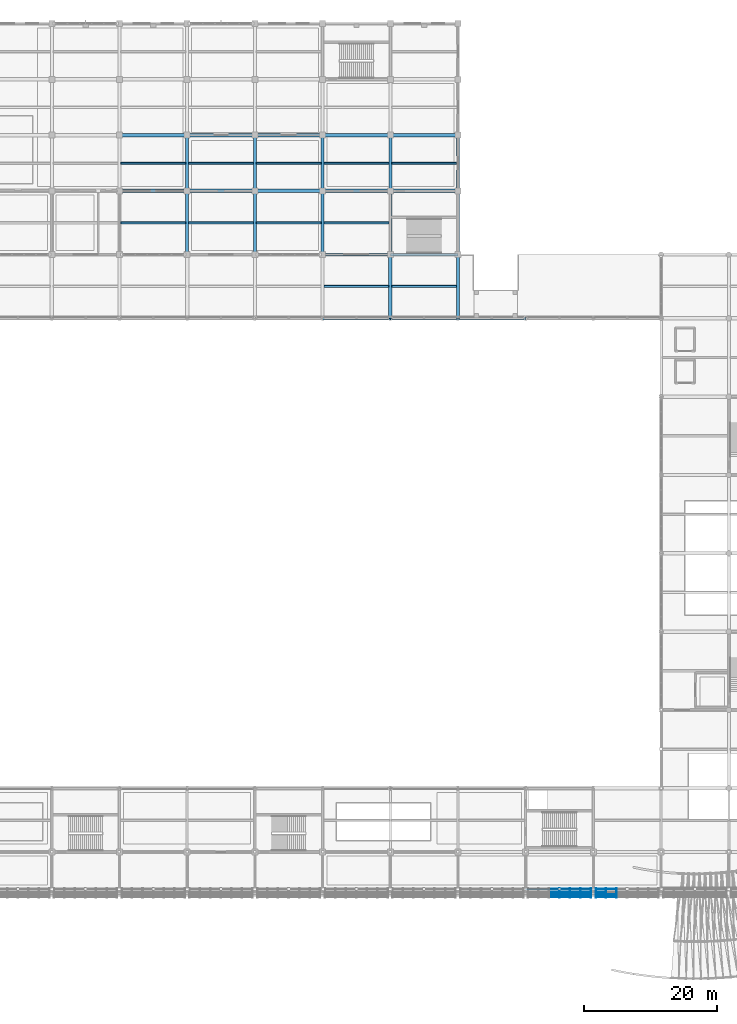
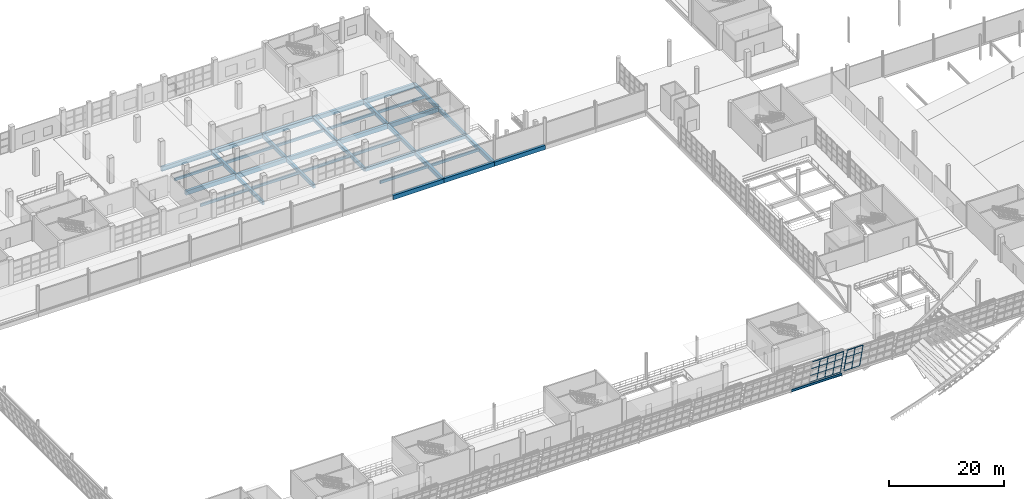
# One storey, part 43 of 175: 39 beams, 30 members, 2 elements without a shape of their own.
"""IFC4 building model written with IfcOpenShell, lengths in metres."""

from ifc_helpers import new_model, si_unit, direction, frame, origin, origin_2d, place, context, subcontext, project, spatial, rectangle, hollow_rectangle, i_section, extrude, material, material_profile, profile_set, type_object, element, aggregate, save


model = new_model("IFC4")

# Units and contexts
model_context = context("Model", 3, precision=1e-05, world=origin(), true_north=direction((0.0, 1.0)))
body_context = subcontext(model_context, "Body", "Model", "MODEL_VIEW")
ifc_project = project(units=[si_unit("LENGTHUNIT", "METRE"), si_unit("AREAUNIT", "SQUARE_METRE"), si_unit("VOLUMEUNIT", "CUBIC_METRE"), si_unit("PLANEANGLEUNIT", "RADIAN"), si_unit("MASSUNIT", "GRAM", prefix="KILO")], contexts=[model_context])

# Site, building, storey
site_placement = place(None, origin())
site = spatial("IfcSite", under=ifc_project, at=site_placement, CompositionType="ELEMENT")
building_placement = place(site_placement, origin())
building = spatial("IfcBuilding", under=site, at=building_placement, Name="Brelvane Convention Centre", CompositionType="ELEMENT")
storey_placement = place(building_placement, frame((0.0, 0.0, 5.39990234375)))
storey = spatial("IfcBuildingStorey", under=building, at=storey_placement, Name="L01", CompositionType="ELEMENT", Elevation=5.39990234375)

# Curtain wall, members
ifc_material_1 = material(Name="Anodised Aluminium Alloy 6063-T6", Category="aluminium")
curtain_wall_type = type_object("IfcCurtainWallType", Name="Curtain Wall CW-HULL-S", PredefinedType="USERDEFINED", material=ifc_material_1)
curtain_wall_1_placement = place(storey_placement, origin())
curtain_wall_1 = element("IfcCurtainWall", 1, at=curtain_wall_1_placement, inside=storey, type_object=curtain_wall_type, Name="Curtain Wall CW-HULL-S L01-HULL-S-L01-13", ObjectType="UNITISED", PredefinedType="USERDEFINED")
ifc_material_2 = material(Name="Anodised Aluminium Alloy 6063-T6", Category="aluminium")
ifc_material_profile_1 = material_profile(ifc_material_2, hollow_rectangle(XDim=0.080078125, YDim=0.239990234375, WallThickness=0.006103515625, InnerFilletRadius=0.006103515625, OuterFilletRadius=0.011962890625, at=origin_2d()), Name="ALU-M 240x80x6.0")
ifc_profile_set_1 = profile_set([ifc_material_profile_1], Name="Anodised Aluminium Alloy 6063-T6")
member_type_1 = type_object("IfcMemberType", Name="Curtain Mullion CW-M1", PredefinedType="MULLION", material=ifc_profile_set_1)
member_1_placement = place(storey_placement, frame((127.5, 13.60009765625, 0.0), z_axis=(0.0, -0.228360162456, 0.973576723326), x_axis=(1.0, 0.0, 0.0)))
member_1 = element("IfcMember", 2, at=member_1_placement, type_object=member_type_1, Name="CW-HULL-S mullion 4", PredefinedType="MULLION", context=body_context, shape_type="SweptSolid", body=[
    extrude(hollow_rectangle(XDim=0.080078125, YDim=0.239990234375, WallThickness=0.006103515625, InnerFilletRadius=0.006103515625, OuterFilletRadius=0.011962890625, at=origin_2d()), origin(), (0.0, 0.0, 1.0), 5.2900390625),
])
member_2_placement = place(storey_placement, frame((129.09326171875, 13.60009765625, 0.0), z_axis=(0.0, -0.228360162456, 0.973576723326), x_axis=(1.0, 0.0, 0.0)))
member_2 = element("IfcMember", 3, at=member_2_placement, type_object=member_type_1, Name="CW-HULL-S mullion 5", PredefinedType="MULLION", context=body_context, shape_type="SweptSolid", body=[
    extrude(hollow_rectangle(XDim=0.080078125, YDim=0.239990234375, WallThickness=0.006103515625, InnerFilletRadius=0.006103515625, OuterFilletRadius=0.011962890625, at=origin_2d()), origin(), (0.0, 0.0, 1.0), 5.2900390625),
])
member_3_placement = place(storey_placement, frame((130.686767578125, 13.60009765625, 0.0), z_axis=(0.0, -0.228360162456, 0.973576723326), x_axis=(1.0, 0.0, 0.0)))
member_3 = element("IfcMember", 4, at=member_3_placement, type_object=member_type_1, Name="CW-HULL-S mullion 6", PredefinedType="MULLION", context=body_context, shape_type="SweptSolid", body=[
    extrude(hollow_rectangle(XDim=0.080078125, YDim=0.239990234375, WallThickness=0.006103515625, InnerFilletRadius=0.006103515625, OuterFilletRadius=0.011962890625, at=origin_2d()), origin(), (0.0, 0.0, 1.0), 5.2900390625),
])
member_4_placement = place(storey_placement, frame((132.239990234375, 13.60009765625, 0.0), z_axis=(0.0, -0.228360162456, 0.973576723326), x_axis=(1.0, 0.0, 0.0)))
member_4 = element("IfcMember", 5, at=member_4_placement, type_object=member_type_1, Name="CW-HULL-S mullion 7", PredefinedType="MULLION", context=body_context, shape_type="SweptSolid", body=[
    extrude(hollow_rectangle(XDim=0.080078125, YDim=0.239990234375, WallThickness=0.006103515625, InnerFilletRadius=0.006103515625, OuterFilletRadius=0.011962890625, at=origin_2d()), origin(), (0.0, 0.0, 1.0), 5.2900390625),
])

curtain_wall_2_placement = place(storey_placement, origin())
curtain_wall_2 = element("IfcCurtainWall", 6, at=curtain_wall_2_placement, inside=storey, type_object=curtain_wall_type, Name="Curtain Wall CW-HULL-S L01-HULL-S-L01-14", ObjectType="UNITISED", PredefinedType="USERDEFINED")
member_5_placement = place(storey_placement, frame((132.9599609375, 13.60009765625, 0.0), z_axis=(0.0, -0.228360162456, 0.973576723326), x_axis=(1.0, 0.0, 0.0)))
member_5 = element("IfcMember", 7, at=member_5_placement, type_object=member_type_1, Name="CW-HULL-S mullion 1", PredefinedType="MULLION", context=body_context, shape_type="SweptSolid", body=[
    extrude(hollow_rectangle(XDim=0.080078125, YDim=0.239990234375, WallThickness=0.006103515625, InnerFilletRadius=0.006103515625, OuterFilletRadius=0.011962890625, at=origin_2d()), origin(), (0.0, 0.0, 1.0), 5.2900390625),
])
member_6_placement = place(storey_placement, frame((134.513427734375, 13.60009765625, 0.0), z_axis=(0.0, -0.228360162456, 0.973576723326), x_axis=(1.0, 0.0, 0.0)))
member_6 = element("IfcMember", 8, at=member_6_placement, type_object=member_type_1, Name="CW-HULL-S mullion 2", PredefinedType="MULLION", context=body_context, shape_type="SweptSolid", body=[
    extrude(hollow_rectangle(XDim=0.080078125, YDim=0.239990234375, WallThickness=0.006103515625, InnerFilletRadius=0.006103515625, OuterFilletRadius=0.011962890625, at=origin_2d()), origin(), (0.0, 0.0, 1.0), 5.2900390625),
])
member_7_placement = place(storey_placement, frame((136.106689453125, 13.60009765625, 0.0), z_axis=(0.0, -0.228360162456, 0.973576723326), x_axis=(1.0, 0.0, 0.0)))
member_7 = element("IfcMember", 9, at=member_7_placement, type_object=member_type_1, Name="CW-HULL-S mullion 3", PredefinedType="MULLION", context=body_context, shape_type="SweptSolid", body=[
    extrude(hollow_rectangle(XDim=0.080078125, YDim=0.239990234375, WallThickness=0.006103515625, InnerFilletRadius=0.006103515625, OuterFilletRadius=0.011962890625, at=origin_2d()), origin(), (0.0, 0.0, 1.0), 5.2900390625),
])

# Member
ifc_material_3 = material(Name="Anodised Aluminium Alloy 6063-T6", Category="aluminium")
ifc_material_profile_2 = material_profile(ifc_material_3, hollow_rectangle(XDim=0.080078125, YDim=0.179931640625, WallThickness=0.0048828125, InnerFilletRadius=0.0048828125, OuterFilletRadius=0.010009765625, at=origin_2d()), Name="ALU-T 180x80x5.0")
ifc_profile_set_2 = profile_set([ifc_material_profile_2], Name="Anodised Aluminium Alloy 6063-T6")
member_type_2 = type_object("IfcMemberType", Name="Curtain Transom CW-T1", PredefinedType="USERDEFINED", material=ifc_profile_set_2)
member_8_placement = place(storey_placement, frame((125.94677734375, 13.590576171875, 0.0400390625), z_axis=(1.0, 0.0, 0.0), x_axis=(0.0, 1.0, 0.0)))
member_8 = element("IfcMember", 10, at=member_8_placement, type_object=member_type_2, Name="CW-HULL-S transom 3.1", ObjectType="TRANSOM", PredefinedType="USERDEFINED", context=body_context, shape_type="SweptSolid", body=[
    extrude(hollow_rectangle(XDim=0.080078125, YDim=0.179931640625, WallThickness=0.0048828125, InnerFilletRadius=0.0048828125, OuterFilletRadius=0.010009765625, at=origin_2d()), origin(), (0.0, 0.0, 1.0), 1.51318359375),
])

member_9_placement = place(storey_placement, frame((125.94677734375, 13.197265625, 1.716796875), z_axis=(1.0, 0.0, 0.0), x_axis=(0.0, 1.0, 0.0)))
member_9 = element("IfcMember", 11, at=member_9_placement, type_object=member_type_2, Name="CW-HULL-S transom 3.2", ObjectType="TRANSOM", PredefinedType="USERDEFINED", context=body_context, shape_type="SweptSolid", body=[
    extrude(hollow_rectangle(XDim=0.080078125, YDim=0.179931640625, WallThickness=0.0048828125, InnerFilletRadius=0.0048828125, OuterFilletRadius=0.010009765625, at=origin_2d()), origin(), (0.0, 0.0, 1.0), 1.51318359375),
])

member_10_placement = place(storey_placement, frame((125.94677734375, 12.794677734375, 3.433349609375), z_axis=(1.0, 0.0, 0.0), x_axis=(0.0, 1.0, 0.0)))
member_10 = element("IfcMember", 12, at=member_10_placement, type_object=member_type_2, Name="CW-HULL-S transom 3.3", ObjectType="TRANSOM", PredefinedType="USERDEFINED", context=body_context, shape_type="SweptSolid", body=[
    extrude(hollow_rectangle(XDim=0.080078125, YDim=0.179931640625, WallThickness=0.0048828125, InnerFilletRadius=0.0048828125, OuterFilletRadius=0.010009765625, at=origin_2d()), origin(), (0.0, 0.0, 1.0), 1.51318359375),
])

member_11_placement = place(storey_placement, frame((125.94677734375, 12.4013671875, 5.110107421875), z_axis=(1.0, 0.0, 0.0), x_axis=(0.0, 1.0, 0.0)))
member_11 = element("IfcMember", 13, at=member_11_placement, type_object=member_type_2, Name="CW-HULL-S transom 3.4", ObjectType="TRANSOM", PredefinedType="USERDEFINED", context=body_context, shape_type="SweptSolid", body=[
    extrude(hollow_rectangle(XDim=0.080078125, YDim=0.179931640625, WallThickness=0.0048828125, InnerFilletRadius=0.0048828125, OuterFilletRadius=0.010009765625, at=origin_2d()), origin(), (0.0, 0.0, 1.0), 1.51318359375),
])

member_12_placement = place(storey_placement, frame((127.5400390625, 13.590576171875, 0.0400390625), z_axis=(1.0, 0.0, 0.0), x_axis=(0.0, 1.0, 0.0)))
member_12 = element("IfcMember", 14, at=member_12_placement, type_object=member_type_2, Name="CW-HULL-S transom 4.1", ObjectType="TRANSOM", PredefinedType="USERDEFINED", context=body_context, shape_type="SweptSolid", body=[
    extrude(hollow_rectangle(XDim=0.080078125, YDim=0.179931640625, WallThickness=0.0048828125, InnerFilletRadius=0.0048828125, OuterFilletRadius=0.010009765625, at=origin_2d()), origin(), (0.0, 0.0, 1.0), 1.51318359375),
])

member_13_placement = place(storey_placement, frame((127.5400390625, 13.197265625, 1.716796875), z_axis=(1.0, 0.0, 0.0), x_axis=(0.0, 1.0, 0.0)))
member_13 = element("IfcMember", 15, at=member_13_placement, type_object=member_type_2, Name="CW-HULL-S transom 4.2", ObjectType="TRANSOM", PredefinedType="USERDEFINED", context=body_context, shape_type="SweptSolid", body=[
    extrude(hollow_rectangle(XDim=0.080078125, YDim=0.179931640625, WallThickness=0.0048828125, InnerFilletRadius=0.0048828125, OuterFilletRadius=0.010009765625, at=origin_2d()), origin(), (0.0, 0.0, 1.0), 1.51318359375),
])

member_14_placement = place(storey_placement, frame((127.5400390625, 12.794677734375, 3.433349609375), z_axis=(1.0, 0.0, 0.0), x_axis=(0.0, 1.0, 0.0)))
member_14 = element("IfcMember", 16, at=member_14_placement, type_object=member_type_2, Name="CW-HULL-S transom 4.3", ObjectType="TRANSOM", PredefinedType="USERDEFINED", context=body_context, shape_type="SweptSolid", body=[
    extrude(hollow_rectangle(XDim=0.080078125, YDim=0.179931640625, WallThickness=0.0048828125, InnerFilletRadius=0.0048828125, OuterFilletRadius=0.010009765625, at=origin_2d()), origin(), (0.0, 0.0, 1.0), 1.51318359375),
])

member_15_placement = place(storey_placement, frame((127.5400390625, 12.4013671875, 5.110107421875), z_axis=(1.0, 0.0, 0.0), x_axis=(0.0, 1.0, 0.0)))
member_15 = element("IfcMember", 17, at=member_15_placement, type_object=member_type_2, Name="CW-HULL-S transom 4.4", ObjectType="TRANSOM", PredefinedType="USERDEFINED", context=body_context, shape_type="SweptSolid", body=[
    extrude(hollow_rectangle(XDim=0.080078125, YDim=0.179931640625, WallThickness=0.0048828125, InnerFilletRadius=0.0048828125, OuterFilletRadius=0.010009765625, at=origin_2d()), origin(), (0.0, 0.0, 1.0), 1.51318359375),
])

member_16_placement = place(storey_placement, frame((129.13330078125, 13.590576171875, 0.0400390625), z_axis=(1.0, 0.0, 0.0), x_axis=(0.0, 1.0, 0.0)))
member_16 = element("IfcMember", 18, at=member_16_placement, type_object=member_type_2, Name="CW-HULL-S transom 5.1", ObjectType="TRANSOM", PredefinedType="USERDEFINED", context=body_context, shape_type="SweptSolid", body=[
    extrude(hollow_rectangle(XDim=0.080078125, YDim=0.179931640625, WallThickness=0.0048828125, InnerFilletRadius=0.0048828125, OuterFilletRadius=0.010009765625, at=origin_2d()), origin(), (0.0, 0.0, 1.0), 1.513427734375),
])

member_17_placement = place(storey_placement, frame((129.13330078125, 13.197265625, 1.716796875), z_axis=(1.0, 0.0, 0.0), x_axis=(0.0, 1.0, 0.0)))
member_17 = element("IfcMember", 19, at=member_17_placement, type_object=member_type_2, Name="CW-HULL-S transom 5.2", ObjectType="TRANSOM", PredefinedType="USERDEFINED", context=body_context, shape_type="SweptSolid", body=[
    extrude(hollow_rectangle(XDim=0.080078125, YDim=0.179931640625, WallThickness=0.0048828125, InnerFilletRadius=0.0048828125, OuterFilletRadius=0.010009765625, at=origin_2d()), origin(), (0.0, 0.0, 1.0), 1.513427734375),
])

member_18_placement = place(storey_placement, frame((129.13330078125, 12.794677734375, 3.433349609375), z_axis=(1.0, 0.0, 0.0), x_axis=(0.0, 1.0, 0.0)))
member_18 = element("IfcMember", 20, at=member_18_placement, type_object=member_type_2, Name="CW-HULL-S transom 5.3", ObjectType="TRANSOM", PredefinedType="USERDEFINED", context=body_context, shape_type="SweptSolid", body=[
    extrude(hollow_rectangle(XDim=0.080078125, YDim=0.179931640625, WallThickness=0.0048828125, InnerFilletRadius=0.0048828125, OuterFilletRadius=0.010009765625, at=origin_2d()), origin(), (0.0, 0.0, 1.0), 1.513427734375),
])

member_19_placement = place(storey_placement, frame((129.13330078125, 12.4013671875, 5.110107421875), z_axis=(1.0, 0.0, 0.0), x_axis=(0.0, 1.0, 0.0)))
member_19 = element("IfcMember", 21, at=member_19_placement, type_object=member_type_2, Name="CW-HULL-S transom 5.4", ObjectType="TRANSOM", PredefinedType="USERDEFINED", context=body_context, shape_type="SweptSolid", body=[
    extrude(hollow_rectangle(XDim=0.080078125, YDim=0.179931640625, WallThickness=0.0048828125, InnerFilletRadius=0.0048828125, OuterFilletRadius=0.010009765625, at=origin_2d()), origin(), (0.0, 0.0, 1.0), 1.513427734375),
])

member_20_placement = place(storey_placement, frame((130.7265625, 13.590576171875, 0.0400390625), z_axis=(1.0, 0.0, 0.0), x_axis=(0.0, 1.0, 0.0)))
member_20 = element("IfcMember", 22, at=member_20_placement, type_object=member_type_2, Name="CW-HULL-S transom 6.1", ObjectType="TRANSOM", PredefinedType="USERDEFINED", context=body_context, shape_type="SweptSolid", body=[
    extrude(hollow_rectangle(XDim=0.080078125, YDim=0.179931640625, WallThickness=0.0048828125, InnerFilletRadius=0.0048828125, OuterFilletRadius=0.010009765625, at=origin_2d()), origin(), (0.0, 0.0, 1.0), 1.473388671875),
])

member_21_placement = place(storey_placement, frame((130.7265625, 13.197265625, 1.716796875), z_axis=(1.0, 0.0, 0.0), x_axis=(0.0, 1.0, 0.0)))
member_21 = element("IfcMember", 23, at=member_21_placement, type_object=member_type_2, Name="CW-HULL-S transom 6.2", ObjectType="TRANSOM", PredefinedType="USERDEFINED", context=body_context, shape_type="SweptSolid", body=[
    extrude(hollow_rectangle(XDim=0.080078125, YDim=0.179931640625, WallThickness=0.0048828125, InnerFilletRadius=0.0048828125, OuterFilletRadius=0.010009765625, at=origin_2d()), origin(), (0.0, 0.0, 1.0), 1.473388671875),
])

member_22_placement = place(storey_placement, frame((130.7265625, 12.794677734375, 3.433349609375), z_axis=(1.0, 0.0, 0.0), x_axis=(0.0, 1.0, 0.0)))
member_22 = element("IfcMember", 24, at=member_22_placement, type_object=member_type_2, Name="CW-HULL-S transom 6.3", ObjectType="TRANSOM", PredefinedType="USERDEFINED", context=body_context, shape_type="SweptSolid", body=[
    extrude(hollow_rectangle(XDim=0.080078125, YDim=0.179931640625, WallThickness=0.0048828125, InnerFilletRadius=0.0048828125, OuterFilletRadius=0.010009765625, at=origin_2d()), origin(), (0.0, 0.0, 1.0), 1.473388671875),
])

member_23_placement = place(storey_placement, frame((130.7265625, 12.4013671875, 5.110107421875), z_axis=(1.0, 0.0, 0.0), x_axis=(0.0, 1.0, 0.0)))
member_23 = element("IfcMember", 25, at=member_23_placement, type_object=member_type_2, Name="CW-HULL-S transom 6.4", ObjectType="TRANSOM", PredefinedType="USERDEFINED", context=body_context, shape_type="SweptSolid", body=[
    extrude(hollow_rectangle(XDim=0.080078125, YDim=0.179931640625, WallThickness=0.0048828125, InnerFilletRadius=0.0048828125, OuterFilletRadius=0.010009765625, at=origin_2d()), origin(), (0.0, 0.0, 1.0), 1.473388671875),
])

aggregate(curtain_wall_1, [member_1, member_2, member_3, member_4, member_8, member_9, member_10, member_11, member_12, member_13, member_14, member_15, member_16, member_17, member_18, member_19, member_20, member_21, member_22, member_23])

member_24_placement = place(storey_placement, frame((133.0, 13.590576171875, 0.0400390625), z_axis=(1.0, 0.0, 0.0), x_axis=(0.0, 1.0, 0.0)))
member_24 = element("IfcMember", 26, at=member_24_placement, type_object=member_type_2, Name="CW-HULL-S transom 1.1", ObjectType="TRANSOM", PredefinedType="USERDEFINED", context=body_context, shape_type="SweptSolid", body=[
    extrude(hollow_rectangle(XDim=0.080078125, YDim=0.179931640625, WallThickness=0.0048828125, InnerFilletRadius=0.0048828125, OuterFilletRadius=0.010009765625, at=origin_2d()), origin(), (0.0, 0.0, 1.0), 1.473388671875),
])

member_25_placement = place(storey_placement, frame((133.0, 13.197265625, 1.716796875), z_axis=(1.0, 0.0, 0.0), x_axis=(0.0, 1.0, 0.0)))
member_25 = element("IfcMember", 27, at=member_25_placement, type_object=member_type_2, Name="CW-HULL-S transom 1.2", ObjectType="TRANSOM", PredefinedType="USERDEFINED", context=body_context, shape_type="SweptSolid", body=[
    extrude(hollow_rectangle(XDim=0.080078125, YDim=0.179931640625, WallThickness=0.0048828125, InnerFilletRadius=0.0048828125, OuterFilletRadius=0.010009765625, at=origin_2d()), origin(), (0.0, 0.0, 1.0), 1.473388671875),
])

member_26_placement = place(storey_placement, frame((133.0, 12.794677734375, 3.433349609375), z_axis=(1.0, 0.0, 0.0), x_axis=(0.0, 1.0, 0.0)))
member_26 = element("IfcMember", 28, at=member_26_placement, type_object=member_type_2, Name="CW-HULL-S transom 1.3", ObjectType="TRANSOM", PredefinedType="USERDEFINED", context=body_context, shape_type="SweptSolid", body=[
    extrude(hollow_rectangle(XDim=0.080078125, YDim=0.179931640625, WallThickness=0.0048828125, InnerFilletRadius=0.0048828125, OuterFilletRadius=0.010009765625, at=origin_2d()), origin(), (0.0, 0.0, 1.0), 1.473388671875),
])

member_27_placement = place(storey_placement, frame((133.0, 12.4013671875, 5.110107421875), z_axis=(1.0, 0.0, 0.0), x_axis=(0.0, 1.0, 0.0)))
member_27 = element("IfcMember", 29, at=member_27_placement, type_object=member_type_2, Name="CW-HULL-S transom 1.4", ObjectType="TRANSOM", PredefinedType="USERDEFINED", context=body_context, shape_type="SweptSolid", body=[
    extrude(hollow_rectangle(XDim=0.080078125, YDim=0.179931640625, WallThickness=0.0048828125, InnerFilletRadius=0.0048828125, OuterFilletRadius=0.010009765625, at=origin_2d()), origin(), (0.0, 0.0, 1.0), 1.473388671875),
])

member_28_placement = place(storey_placement, frame((134.55322265625, 13.590576171875, 0.0400390625), z_axis=(1.0, 0.0, 0.0), x_axis=(0.0, 1.0, 0.0)))
member_28 = element("IfcMember", 30, at=member_28_placement, type_object=member_type_2, Name="CW-HULL-S transom 2.1", ObjectType="TRANSOM", PredefinedType="USERDEFINED", context=body_context, shape_type="SweptSolid", body=[
    extrude(hollow_rectangle(XDim=0.080078125, YDim=0.179931640625, WallThickness=0.0048828125, InnerFilletRadius=0.0048828125, OuterFilletRadius=0.010009765625, at=origin_2d()), origin(), (0.0, 0.0, 1.0), 1.513427734375),
])

member_29_placement = place(storey_placement, frame((134.55322265625, 12.794677734375, 3.433349609375), z_axis=(1.0, 0.0, 0.0), x_axis=(0.0, 1.0, 0.0)))
member_29 = element("IfcMember", 31, at=member_29_placement, type_object=member_type_2, Name="CW-HULL-S transom 2.3", ObjectType="TRANSOM", PredefinedType="USERDEFINED", context=body_context, shape_type="SweptSolid", body=[
    extrude(hollow_rectangle(XDim=0.080078125, YDim=0.179931640625, WallThickness=0.0048828125, InnerFilletRadius=0.0048828125, OuterFilletRadius=0.010009765625, at=origin_2d()), origin(), (0.0, 0.0, 1.0), 1.513427734375),
])

member_30_placement = place(storey_placement, frame((134.55322265625, 12.4013671875, 5.110107421875), z_axis=(1.0, 0.0, 0.0), x_axis=(0.0, 1.0, 0.0)))
member_30 = element("IfcMember", 32, at=member_30_placement, type_object=member_type_2, Name="CW-HULL-S transom 2.4", ObjectType="TRANSOM", PredefinedType="USERDEFINED", context=body_context, shape_type="SweptSolid", body=[
    extrude(hollow_rectangle(XDim=0.080078125, YDim=0.179931640625, WallThickness=0.0048828125, InnerFilletRadius=0.0048828125, OuterFilletRadius=0.010009765625, at=origin_2d()), origin(), (0.0, 0.0, 1.0), 1.513427734375),
])

aggregate(curtain_wall_2, [member_5, member_6, member_7, member_24, member_25, member_26, member_27, member_28, member_29, member_30])

# Beams
ifc_material_4 = material(Name="Concrete M40", Category="concrete")
ifc_material_profile_3 = material_profile(ifc_material_4, rectangle(XDim=0.47998046875, YDim=0.8798828125, at=origin_2d()), Name="RC 480x880")
ifc_profile_set_3 = profile_set([ifc_material_profile_3], Name="Concrete M40")
beam_type_1 = type_object("IfcBeamType", Name="RC Beam B-RC10 (RC 480x880)", PredefinedType="BEAM", material=ifc_profile_set_3)
for number, where, z_axis, x_axis, name in (
    (33, (102.0, 99.60009765625, -0.760009765625), (0.0, 1.0, 0.0), (-1.0, 0.0, 0.0), "L01 Girder 11/K-L"),
    (34, (112.199951171875, 99.60009765625, -0.760009765625), (0.0, 1.0, 0.0), (-1.0, 0.0, 0.0), "L01 Girder 12/K-L"),
):
    element("IfcBeam", number, at=place(storey_placement, frame(where, z_axis=z_axis, x_axis=x_axis)), inside=storey, type_object=beam_type_1, Name=name, PredefinedType="BEAM", context=body_context, shape_type="SweptSolid", body=[
        extrude(rectangle(XDim=0.47998046875, YDim=0.8798828125, at=origin_2d()), origin(), (0.0, 0.0, 1.0), 9.599853515625),
    ])
ifc_material_5 = material(Name="Concrete M40", Category="concrete")
ifc_material_profile_4 = material_profile(ifc_material_5, rectangle(XDim=0.5, YDim=0.89990234375, at=origin_2d()), Name="RC 500x900")
ifc_profile_set_4 = profile_set([ifc_material_profile_4], Name="Concrete M40")
beam_type_2 = type_object("IfcBeamType", Name="RC Beam B-RC4 (RC 500x900)", PredefinedType="BEAM", material=ifc_profile_set_4)
for number, where, z_axis, x_axis, name in (
    (35, (61.199951171875, 118.800048828125, -0.77001953125), (1.0, 0.0, 0.0), (0.0, 1.0, 0.0), "L01 Beam 7-8/M"),
    (36, (61.199951171875, 127.199951171875, -0.77001953125), (1.0, 0.0, 0.0), (0.0, 1.0, 0.0), "L01 Beam 7-8/N"),
):
    element("IfcBeam", number, at=place(storey_placement, frame(where, z_axis=z_axis, x_axis=x_axis)), inside=storey, type_object=beam_type_2, Name=name, PredefinedType="BEAM", context=body_context, shape_type="SweptSolid", body=[
        extrude(rectangle(XDim=0.5, YDim=0.89990234375, at=origin_2d()), origin(), (0.0, 0.0, 1.0), 10.199951171875),
    ])
for number, where, z_axis, x_axis, name in (
    (37, (71.39990234375, 118.800048828125, -0.77001953125), (1.0, 0.0, 0.0), (0.0, 1.0, 0.0), "L01 Beam 8-9/M"),
    (38, (71.39990234375, 127.199951171875, -0.77001953125), (1.0, 0.0, 0.0), (0.0, 1.0, 0.0), "L01 Beam 8-9/N"),
):
    element("IfcBeam", number, at=place(storey_placement, frame(where, z_axis=z_axis, x_axis=x_axis)), inside=storey, type_object=beam_type_2, Name=name, PredefinedType="BEAM", context=body_context, shape_type="SweptSolid", body=[
        extrude(rectangle(XDim=0.5, YDim=0.89990234375, at=origin_2d()), origin(), (0.0, 0.0, 1.0), 10.2001953125),
    ])
for number, where, z_axis, x_axis, name in (
    (39, (81.60009765625, 118.800048828125, -0.77001953125), (1.0, 0.0, 0.0), (0.0, 1.0, 0.0), "L01 Beam 9-10/M"),
    (40, (81.60009765625, 127.199951171875, -0.77001953125), (1.0, 0.0, 0.0), (0.0, 1.0, 0.0), "L01 Beam 9-10/N"),
    (41, (91.800048828125, 99.60009765625, -0.77001953125), (1.0, 0.0, 0.0), (0.0, 1.0, 0.0), "L01 Beam 10-11/K"),
    (42, (91.800048828125, 118.800048828125, -0.77001953125), (1.0, 0.0, 0.0), (0.0, 1.0, 0.0), "L01 Beam 10-11/M"),
    (43, (91.800048828125, 127.199951171875, -0.77001953125), (1.0, 0.0, 0.0), (0.0, 1.0, 0.0), "L01 Beam 10-11/N"),
    (44, (102.0, 99.60009765625, -0.77001953125), (1.0, 0.0, 0.0), (0.0, 1.0, 0.0), "L01 Beam 11-12/K"),
    (45, (102.0, 118.800048828125, -0.77001953125), (1.0, 0.0, 0.0), (0.0, 1.0, 0.0), "L01 Beam 11-12/M"),
    (46, (102.0, 127.199951171875, -0.77001953125), (1.0, 0.0, 0.0), (0.0, 1.0, 0.0), "L01 Beam 11-12/N"),
    (47, (112.199951171875, 99.60009765625, -0.77001953125), (1.0, 0.0, 0.0), (0.0, 1.0, 0.0), "L01 Beam 12-13/K"),
):
    element("IfcBeam", number, at=place(storey_placement, frame(where, z_axis=z_axis, x_axis=x_axis)), inside=storey, type_object=beam_type_2, Name=name, PredefinedType="BEAM", context=body_context, shape_type="SweptSolid", body=[
        extrude(rectangle(XDim=0.5, YDim=0.89990234375, at=origin_2d()), origin(), (0.0, 0.0, 1.0), 10.199951171875),
    ])
ifc_material_6 = material(Name="Concrete M40", Category="concrete")
ifc_material_profile_5 = material_profile(ifc_material_6, rectangle(XDim=0.449951171875, YDim=0.800048828125, at=origin_2d()), Name="RC 450x800")
ifc_profile_set_5 = profile_set([ifc_material_profile_5], Name="Concrete M40")
beam_type_3 = type_object("IfcBeamType", Name="RC Beam B-RC5 (RC 450x800)", PredefinedType="BEAM", material=ifc_profile_set_5)
beam_1_placement = place(storey_placement, frame((71.39990234375, 109.199951171875, -0.719970703125), z_axis=(0.0, 1.0, 0.0), x_axis=(-1.0, 0.0, 0.0)))
element("IfcBeam", 48, at=beam_1_placement, inside=storey, type_object=beam_type_3, Name="L01 Girder 8/L-M", PredefinedType="BEAM", context=body_context, shape_type="SweptSolid", body=[
    extrude(rectangle(XDim=0.449951171875, YDim=0.800048828125, at=origin_2d()), origin(), (0.0, 0.0, 1.0), 9.60009765625),
])
beam_2_placement = place(storey_placement, frame((71.39990234375, 118.800048828125, -0.719970703125), z_axis=(0.0, 1.0, 0.0), x_axis=(-1.0, 0.0, 0.0)))
element("IfcBeam", 49, at=beam_2_placement, inside=storey, type_object=beam_type_3, Name="L01 Girder 8/M-N", PredefinedType="BEAM", context=body_context, shape_type="SweptSolid", body=[
    extrude(rectangle(XDim=0.449951171875, YDim=0.800048828125, at=origin_2d()), origin(), (0.0, 0.0, 1.0), 8.39990234375),
])
beam_3_placement = place(storey_placement, frame((81.60009765625, 109.199951171875, -0.719970703125), z_axis=(0.0, 1.0, 0.0), x_axis=(-1.0, 0.0, 0.0)))
element("IfcBeam", 50, at=beam_3_placement, inside=storey, type_object=beam_type_3, Name="L01 Girder 9/L-M", PredefinedType="BEAM", context=body_context, shape_type="SweptSolid", body=[
    extrude(rectangle(XDim=0.449951171875, YDim=0.800048828125, at=origin_2d()), origin(), (0.0, 0.0, 1.0), 9.60009765625),
])
beam_4_placement = place(storey_placement, frame((81.60009765625, 118.800048828125, -0.719970703125), z_axis=(0.0, 1.0, 0.0), x_axis=(-1.0, 0.0, 0.0)))
element("IfcBeam", 51, at=beam_4_placement, inside=storey, type_object=beam_type_3, Name="L01 Girder 9/M-N", PredefinedType="BEAM", context=body_context, shape_type="SweptSolid", body=[
    extrude(rectangle(XDim=0.449951171875, YDim=0.800048828125, at=origin_2d()), origin(), (0.0, 0.0, 1.0), 8.39990234375),
])
beam_5_placement = place(storey_placement, frame((91.800048828125, 109.199951171875, -0.719970703125), z_axis=(0.0, 1.0, 0.0), x_axis=(-1.0, 0.0, 0.0)))
element("IfcBeam", 52, at=beam_5_placement, inside=storey, type_object=beam_type_3, Name="L01 Girder 10/L-M", PredefinedType="BEAM", context=body_context, shape_type="SweptSolid", body=[
    extrude(rectangle(XDim=0.449951171875, YDim=0.800048828125, at=origin_2d()), origin(), (0.0, 0.0, 1.0), 9.60009765625),
])
beam_6_placement = place(storey_placement, frame((91.800048828125, 118.800048828125, -0.719970703125), z_axis=(0.0, 1.0, 0.0), x_axis=(-1.0, 0.0, 0.0)))
element("IfcBeam", 53, at=beam_6_placement, inside=storey, type_object=beam_type_3, Name="L01 Girder 10/M-N", PredefinedType="BEAM", context=body_context, shape_type="SweptSolid", body=[
    extrude(rectangle(XDim=0.449951171875, YDim=0.800048828125, at=origin_2d()), origin(), (0.0, 0.0, 1.0), 8.39990234375),
])
beam_7_placement = place(storey_placement, frame((102.0, 109.199951171875, -0.719970703125), z_axis=(0.0, 1.0, 0.0), x_axis=(-1.0, 0.0, 0.0)))
element("IfcBeam", 54, at=beam_7_placement, inside=storey, type_object=beam_type_3, Name="L01 Girder 11/L-M", PredefinedType="BEAM", context=body_context, shape_type="SweptSolid", body=[
    extrude(rectangle(XDim=0.449951171875, YDim=0.800048828125, at=origin_2d()), origin(), (0.0, 0.0, 1.0), 9.60009765625),
])
beam_8_placement = place(storey_placement, frame((102.0, 118.800048828125, -0.719970703125), z_axis=(0.0, 1.0, 0.0), x_axis=(-1.0, 0.0, 0.0)))
element("IfcBeam", 55, at=beam_8_placement, inside=storey, type_object=beam_type_3, Name="L01 Girder 11/M-N", PredefinedType="BEAM", context=body_context, shape_type="SweptSolid", body=[
    extrude(rectangle(XDim=0.449951171875, YDim=0.800048828125, at=origin_2d()), origin(), (0.0, 0.0, 1.0), 8.39990234375),
])
beam_9_placement = place(storey_placement, frame((112.199951171875, 109.199951171875, -0.719970703125), z_axis=(0.0, 1.0, 0.0), x_axis=(-1.0, 0.0, 0.0)))
element("IfcBeam", 56, at=beam_9_placement, inside=storey, type_object=beam_type_3, Name="L01 Girder 12/L-M", PredefinedType="BEAM", context=body_context, shape_type="SweptSolid", body=[
    extrude(rectangle(XDim=0.449951171875, YDim=0.800048828125, at=origin_2d()), origin(), (0.0, 0.0, 1.0), 9.60009765625),
])
beam_10_placement = place(storey_placement, frame((112.199951171875, 118.800048828125, -0.719970703125), z_axis=(0.0, 1.0, 0.0), x_axis=(-1.0, 0.0, 0.0)))
element("IfcBeam", 57, at=beam_10_placement, inside=storey, type_object=beam_type_3, Name="L01 Girder 12/M-N", PredefinedType="BEAM", context=body_context, shape_type="SweptSolid", body=[
    extrude(rectangle(XDim=0.449951171875, YDim=0.800048828125, at=origin_2d()), origin(), (0.0, 0.0, 1.0), 8.39990234375),
])
ifc_material_7 = material(Name="Concrete M40", Category="concrete")
ifc_material_profile_6 = material_profile(ifc_material_7, rectangle(XDim=0.300048828125, YDim=0.550048828125, at=origin_2d()), Name="RC 300x550")
ifc_profile_set_6 = profile_set([ifc_material_profile_6], Name="Concrete M40")
beam_type_4 = type_object("IfcBeamType", Name="RC Joist J-RC1 (RC 300x550)", PredefinedType="JOIST", material=ifc_profile_set_6)
for number, where, z_axis, x_axis, name in (
    (58, (61.425048828125, 114.0, -0.594970703125), (1.0, 0.0, 0.0), (0.0, 1.0, 0.0), "L01 Secondary Joist 7-8/LM"),
    (59, (61.425048828125, 123.0, -0.594970703125), (1.0, 0.0, 0.0), (0.0, 1.0, 0.0), "L01 Secondary Joist 7-8/MN"),
    (60, (71.625, 114.0, -0.594970703125), (1.0, 0.0, 0.0), (0.0, 1.0, 0.0), "L01 Secondary Joist 8-9/LM"),
    (61, (71.625, 123.0, -0.594970703125), (1.0, 0.0, 0.0), (0.0, 1.0, 0.0), "L01 Secondary Joist 8-9/MN"),
    (62, (81.824951171875, 114.0, -0.594970703125), (1.0, 0.0, 0.0), (0.0, 1.0, 0.0), "L01 Secondary Joist 9-10/LM"),
    (63, (81.824951171875, 123.0, -0.594970703125), (1.0, 0.0, 0.0), (0.0, 1.0, 0.0), "L01 Secondary Joist 9-10/MN"),
):
    element("IfcBeam", number, at=place(storey_placement, frame(where, z_axis=z_axis, x_axis=x_axis)), inside=storey, type_object=beam_type_4, Name=name, PredefinedType="JOIST", context=body_context, shape_type="SweptSolid", body=[
        extrude(rectangle(XDim=0.300048828125, YDim=0.550048828125, at=origin_2d()), origin(), (0.0, 0.0, 1.0), 9.75),
    ])
beam_11_placement = place(storey_placement, frame((92.0400390625, 104.39990234375, -0.594970703125), z_axis=(1.0, 0.0, 0.0), x_axis=(0.0, 1.0, 0.0)))
element("IfcBeam", 64, at=beam_11_placement, inside=storey, type_object=beam_type_4, Name="L01 Secondary Joist 10-11/KL", PredefinedType="JOIST", context=body_context, shape_type="SweptSolid", body=[
    extrude(rectangle(XDim=0.300048828125, YDim=0.550048828125, at=origin_2d()), origin(), (0.0, 0.0, 1.0), 9.719970703125),
])
for number, where, z_axis, x_axis, name in (
    (65, (92.02490234375, 114.0, -0.594970703125), (1.0, 0.0, 0.0), (0.0, 1.0, 0.0), "L01 Secondary Joist 10-11/LM"),
    (66, (92.02490234375, 123.0, -0.594970703125), (1.0, 0.0, 0.0), (0.0, 1.0, 0.0), "L01 Secondary Joist 10-11/MN"),
):
    element("IfcBeam", number, at=place(storey_placement, frame(where, z_axis=z_axis, x_axis=x_axis)), inside=storey, type_object=beam_type_4, Name=name, PredefinedType="JOIST", context=body_context, shape_type="SweptSolid", body=[
        extrude(rectangle(XDim=0.300048828125, YDim=0.550048828125, at=origin_2d()), origin(), (0.0, 0.0, 1.0), 9.75),
    ])
beam_12_placement = place(storey_placement, frame((102.239990234375, 104.39990234375, -0.594970703125), z_axis=(1.0, 0.0, 0.0), x_axis=(0.0, 1.0, 0.0)))
element("IfcBeam", 67, at=beam_12_placement, inside=storey, type_object=beam_type_4, Name="L01 Secondary Joist 11-12/KL", PredefinedType="JOIST", context=body_context, shape_type="SweptSolid", body=[
    extrude(rectangle(XDim=0.300048828125, YDim=0.550048828125, at=origin_2d()), origin(), (0.0, 0.0, 1.0), 9.719970703125),
])
beam_13_placement = place(storey_placement, frame((102.22509765625, 123.0, -0.594970703125), z_axis=(1.0, 0.0, 0.0), x_axis=(0.0, 1.0, 0.0)))
element("IfcBeam", 68, at=beam_13_placement, inside=storey, type_object=beam_type_4, Name="L01 Secondary Joist 11-12/MN", PredefinedType="JOIST", context=body_context, shape_type="SweptSolid", body=[
    extrude(rectangle(XDim=0.300048828125, YDim=0.550048828125, at=origin_2d()), origin(), (0.0, 0.0, 1.0), 9.75),
])
ifc_material_8 = material(Name="Concrete M40", Category="concrete")
ifc_material_profile_7 = material_profile(ifc_material_8, rectangle(XDim=0.39990234375, YDim=0.75, at=origin_2d()), Name="RC 400x750")
ifc_profile_set_7 = profile_set([ifc_material_profile_7], Name="Concrete M40")
beam_type_5 = type_object("IfcBeamType", Name="RC Spandrel SP-RC1 (RC 400x750)", PredefinedType="SPANDREL", material=ifc_profile_set_7)
for number, where, z_axis, x_axis, name in (
    (69, (91.800048828125, 109.199951171875, -0.69482421875), (1.0, 0.0, 0.0), (0.0, 1.0, 0.0), "L01 Beam 10-11/L"),
    (70, (102.0, 109.199951171875, -0.69482421875), (1.0, 0.0, 0.0), (0.0, 1.0, 0.0), "L01 Beam 11-12/L"),
):
    element("IfcBeam", number, at=place(storey_placement, frame(where, z_axis=z_axis, x_axis=x_axis)), inside=storey, type_object=beam_type_5, Name=name, PredefinedType="SPANDREL", context=body_context, shape_type="SweptSolid", body=[
        extrude(rectangle(XDim=0.39990234375, YDim=0.75, at=origin_2d()), origin(), (0.0, 0.0, 1.0), 10.199951171875),
    ])
ifc_material_9 = material(Name="Steel E350 (350 MPa)", Category="steel")
ifc_material_profile_8 = material_profile(ifc_material_9, i_section(OverallWidth=0.25, OverallDepth=0.5, WebThickness=0.010009765625, FlangeThickness=0.0146484375, FilletRadius=0.01611328125, at=origin_2d()), Name="ISWB 500")
ifc_profile_set_8 = profile_set([ifc_material_profile_8], Name="Steel E350 (350 MPa)")
beam_type_6 = type_object("IfcBeamType", Name="Steel Spandrel SP-ST1 (ISWB 500)", PredefinedType="SPANDREL", material=ifc_profile_set_8)
beam_14_placement = place(storey_placement, frame((122.39990234375, 13.60009765625, -0.510009765625), z_axis=(1.0, 0.0, 0.0), x_axis=(0.0, 1.0, 0.0)))
element("IfcBeam", 71, at=beam_14_placement, inside=storey, type_object=beam_type_6, Name="L01 Hull Overhang Edge Spandrel 13", PredefinedType="SPANDREL", context=body_context, shape_type="SweptSolid", body=[
    extrude(i_section(OverallWidth=0.25, OverallDepth=0.5, WebThickness=0.010009765625, FlangeThickness=0.0146484375, FilletRadius=0.01611328125, at=origin_2d()), origin(), (0.0, 0.0, 1.0), 10.2001953125),
])

save(model, "model.ifc")
